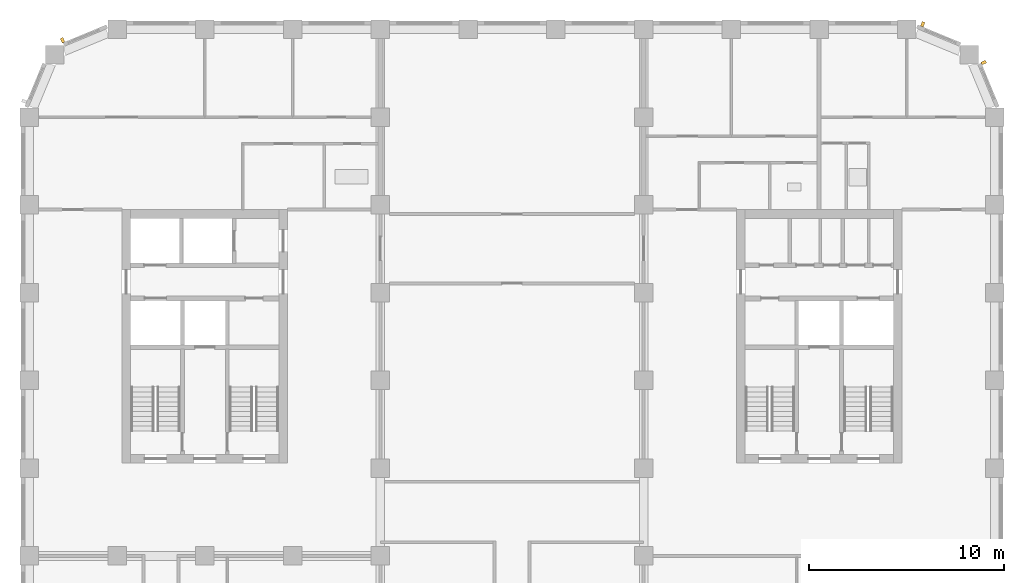
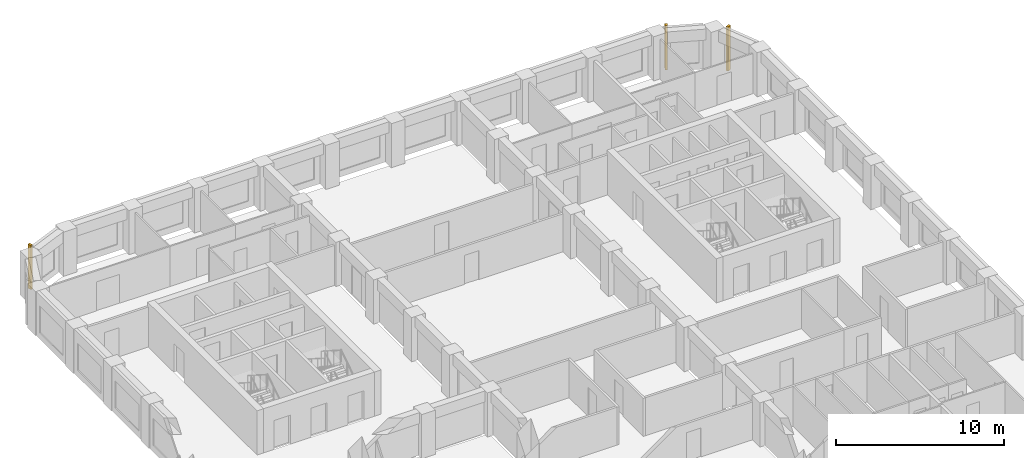
# One storey, part 11 of 12: 3 shading devices.
"""IFC4 building model written with IfcOpenShell, lengths in metres."""

from ifc_helpers import new_model, si_unit, direction, frame, origin, origin_2d, place, context, subcontext, project, spatial, rectangle, extrude, material, type_object, element, save


model = new_model("IFC4")

# Units and contexts
model_context = context("Model", 3, precision=1e-05, world=origin(), true_north=direction((0.0, 1.0)))
body_context = subcontext(model_context, "Body", "Model", "MODEL_VIEW")
ifc_project = project(units=[si_unit("LENGTHUNIT", "METRE"), si_unit("AREAUNIT", "SQUARE_METRE"), si_unit("VOLUMEUNIT", "CUBIC_METRE"), si_unit("PLANEANGLEUNIT", "RADIAN"), si_unit("MASSUNIT", "GRAM", prefix="KILO")], contexts=[model_context])

# Site, building, storey
site_placement = place(None, origin())
site = spatial("IfcSite", under=ifc_project, at=site_placement, CompositionType="ELEMENT")
building_placement = place(site_placement, origin())
building = spatial("IfcBuilding", under=site, at=building_placement, Name="Girih Gate Residences", CompositionType="ELEMENT")
storey_placement = place(building_placement, frame((0.0, 0.0, 143.0)))
storey = spatial("IfcBuildingStorey", under=building, at=storey_placement, Name="L40", CompositionType="ELEMENT", Elevation=143.0)

# Shading devices
ifc_material = material(Name="Precast concrete C50/60", Category="concrete")
shading_device_type = type_object("IfcShadingDeviceType", Name="Corner rib 150x250", PredefinedType="USERDEFINED", material=ifc_material)
for number, where, z_axis, x_axis, name in (
    (1, (48.937744140625, 47.794677734375, 0.0), (0.0, 0.0, 1.0), (-0.382683432365, 0.923879532511, 0.0), "Corner rib NE0495_0450.0"),
    (2, (45.808349609375, 49.760498046875, 0.0), (0.0, 0.0, 1.0), (-0.923879532511, 0.382683432365, 0.0), "Corner rib NE0482_0482.0"),
    (3, (1.705322265625, 48.937744140625, 0.0), (0.0, 0.0, 1.0), (-0.923879532511, -0.382683432365, 0.0), "Corner rib NW0045_0495.0"),
):
    element("IfcShadingDevice", number, at=place(storey_placement, frame(where, z_axis=z_axis, x_axis=x_axis)), inside=storey, type_object=shading_device_type, Name=name, ObjectType="FIN", PredefinedType="USERDEFINED", context=body_context, shape_type="SweptSolid", body=[
        extrude(rectangle(XDim=0.14990234375, YDim=0.25, at=origin_2d()), origin(), (0.0, 0.0, 1.0), 3.199951171875),
    ])

save(model, "model.ifc")
